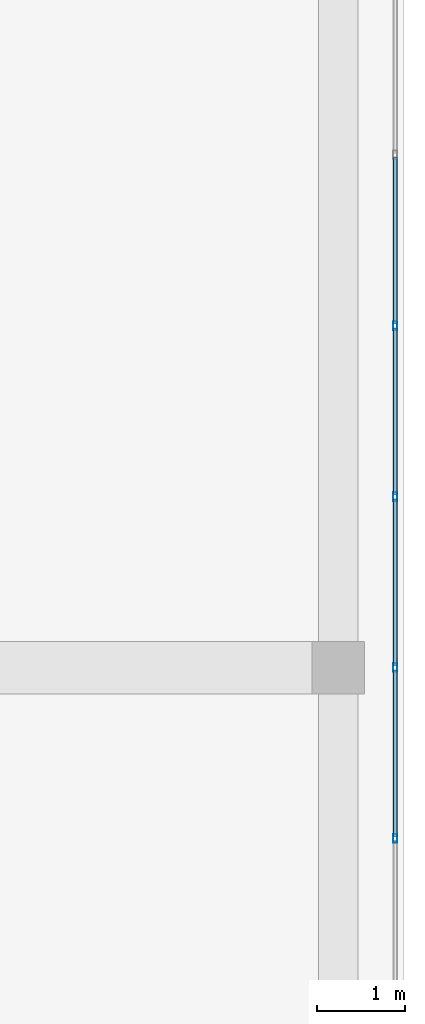
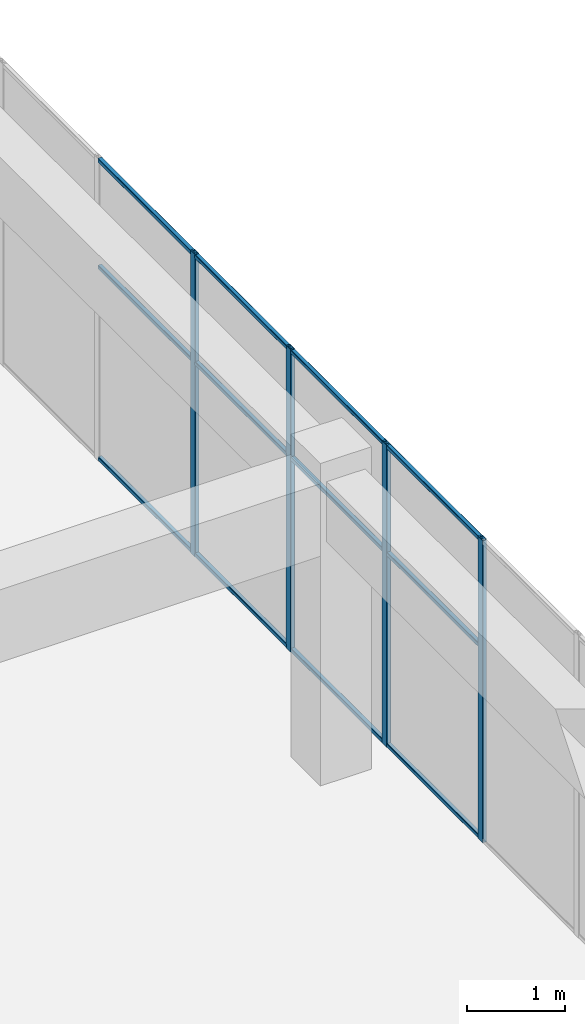
# One storey, part 19 of 35: 16 members, 1 element without a shape of its own.
"""IFC4 building model written with IfcOpenShell, lengths in metres."""

from ifc_helpers import new_model, si_unit, direction, frame, origin, origin_2d, place, context, subcontext, project, spatial, hollow_rectangle, extrude, material, layer, layer_set, material_profile, profile_set, type_object, element, aggregate, save


model = new_model("IFC4")

# Units and contexts
model_context = context("Model", 3, precision=1e-05, world=origin(), true_north=direction((0.0, 1.0)))
body_context = subcontext(model_context, "Body", "Model", "MODEL_VIEW")
ifc_project = project(units=[si_unit("LENGTHUNIT", "METRE"), si_unit("AREAUNIT", "SQUARE_METRE"), si_unit("VOLUMEUNIT", "CUBIC_METRE"), si_unit("PLANEANGLEUNIT", "RADIAN"), si_unit("MASSUNIT", "GRAM", prefix="KILO")], contexts=[model_context])

# Site, building, storey
site_placement = place(None, origin())
site = spatial("IfcSite", under=ifc_project, at=site_placement, CompositionType="ELEMENT")
building_placement = place(site_placement, origin())
building = spatial("IfcBuilding", under=site, at=building_placement, Name="Tuart Plaza Theatre", CompositionType="ELEMENT")
storey_placement = place(building_placement, frame((0.0, 0.0, 45.5)))
storey = spatial("IfcBuildingStorey", under=building, at=storey_placement, Name="L11", CompositionType="ELEMENT", Elevation=45.5)

# Curtain wall, members
ifc_material_1 = material(Name="Aluminium and glass", Category="aluminium")
ifc_layer = layer(ifc_material_1, 0.10009765625)
ifc_layer_set = layer_set([ifc_layer], Name="CURTAIN WALL 2000 module")
curtain_wall_type = type_object("IfcCurtainWallType", Name="CURTAIN WALL 2000 module", PredefinedType="NOTDEFINED", material=ifc_layer_set)
curtain_wall_placement = place(storey_placement, origin())
curtain_wall = element("IfcCurtainWall", 1, at=curtain_wall_placement, inside=storey, type_object=curtain_wall_type, Name="CW102", PredefinedType="NOTDEFINED")
ifc_material_2 = material(Name="Aluminium 6063-T5", Category="aluminium")
ifc_material_profile_1 = material_profile(ifc_material_2, hollow_rectangle(XDim=0.050048828125, YDim=0.10009765625, WallThickness=0.00390625, InnerFilletRadius=0.00390625, OuterFilletRadius=0.008056640625, at=origin_2d()), Name="RHS 100x50x4")
ifc_profile_set_1 = profile_set([ifc_material_profile_1], Name="Aluminium 6063-T5")
member_type_1 = type_object("IfcMemberType", Name="MULLION RHS 100x50x4", PredefinedType="MULLION", material=ifc_profile_set_1)
member_1_placement = place(storey_placement, frame((150.64990234375, 72.050048828125, 0.0), z_axis=(0.0, 0.0, 1.0), x_axis=(-1.0, 0.0, 0.0)))
member_1 = element("IfcMember", 2, at=member_1_placement, type_object=member_type_1, Name="CW102 mullion 5", PredefinedType="MULLION", context=body_context, shape_type="SweptSolid", body=[
    extrude(hollow_rectangle(XDim=0.050048828125, YDim=0.10009765625, WallThickness=0.00390625, InnerFilletRadius=0.00390625, OuterFilletRadius=0.008056640625, at=origin_2d()), origin(), (0.0, 0.0, 1.0), 3.75),
])
member_2_placement = place(storey_placement, frame((150.64990234375, 74.0, 0.0), z_axis=(0.0, 0.0, 1.0), x_axis=(-1.0, 0.0, 0.0)))
member_2 = element("IfcMember", 3, at=member_2_placement, type_object=member_type_1, Name="CW102 mullion 6", PredefinedType="MULLION", context=body_context, shape_type="SweptSolid", body=[
    extrude(hollow_rectangle(XDim=0.050048828125, YDim=0.10009765625, WallThickness=0.00390625, InnerFilletRadius=0.00390625, OuterFilletRadius=0.008056640625, at=origin_2d()), origin(), (0.0, 0.0, 1.0), 3.75),
])
member_3_placement = place(storey_placement, frame((150.64990234375, 75.949951171875, 0.0), z_axis=(0.0, 0.0, 1.0), x_axis=(-1.0, 0.0, 0.0)))
member_3 = element("IfcMember", 4, at=member_3_placement, type_object=member_type_1, Name="CW102 mullion 7", PredefinedType="MULLION", context=body_context, shape_type="SweptSolid", body=[
    extrude(hollow_rectangle(XDim=0.050048828125, YDim=0.10009765625, WallThickness=0.00390625, InnerFilletRadius=0.00390625, OuterFilletRadius=0.008056640625, at=origin_2d()), origin(), (0.0, 0.0, 1.0), 3.75),
])
member_4_placement = place(storey_placement, frame((150.64990234375, 77.89990234375, 0.0), z_axis=(0.0, 0.0, 1.0), x_axis=(-1.0, 0.0, 0.0)))
member_4 = element("IfcMember", 5, at=member_4_placement, type_object=member_type_1, Name="CW102 mullion 8", PredefinedType="MULLION", context=body_context, shape_type="SweptSolid", body=[
    extrude(hollow_rectangle(XDim=0.050048828125, YDim=0.10009765625, WallThickness=0.00390625, InnerFilletRadius=0.00390625, OuterFilletRadius=0.008056640625, at=origin_2d()), origin(), (0.0, 0.0, 1.0), 3.75),
])
ifc_material_3 = material(Name="Aluminium 6063-T5", Category="aluminium")
ifc_material_profile_2 = material_profile(ifc_material_3, hollow_rectangle(XDim=0.050048828125, YDim=0.050048828125, WallThickness=0.00390625, InnerFilletRadius=0.00390625, OuterFilletRadius=0.008056640625, at=origin_2d()), Name="RHS 50x50x4")
ifc_profile_set_2 = profile_set([ifc_material_profile_2], Name="Aluminium 6063-T5")
member_type_2 = type_object("IfcMemberType", Name="TRANSOM RHS 50x50x4", PredefinedType="USERDEFINED", material=ifc_profile_set_2)
member_5_placement = place(storey_placement, frame((150.64990234375, 72.074951171875, 0.02490234375), z_axis=(0.0, 1.0, 0.0), x_axis=(-1.0, 0.0, 0.0)))
member_5 = element("IfcMember", 6, at=member_5_placement, type_object=member_type_2, Name="CW102 transom 5.1", ObjectType="TRANSOM", PredefinedType="USERDEFINED", context=body_context, shape_type="SweptSolid", body=[
    extrude(hollow_rectangle(XDim=0.050048828125, YDim=0.050048828125, WallThickness=0.00390625, InnerFilletRadius=0.00390625, OuterFilletRadius=0.008056640625, at=origin_2d()), origin(), (0.0, 0.0, 1.0), 1.900146484375),
])
member_6_placement = place(storey_placement, frame((150.64990234375, 72.074951171875, 2.39990234375), z_axis=(0.0, 1.0, 0.0), x_axis=(-1.0, 0.0, 0.0)))
member_6 = element("IfcMember", 7, at=member_6_placement, type_object=member_type_2, Name="CW102 transom 5.2", ObjectType="TRANSOM", PredefinedType="USERDEFINED", context=body_context, shape_type="SweptSolid", body=[
    extrude(hollow_rectangle(XDim=0.050048828125, YDim=0.050048828125, WallThickness=0.00390625, InnerFilletRadius=0.00390625, OuterFilletRadius=0.008056640625, at=origin_2d()), origin(), (0.0, 0.0, 1.0), 1.900146484375),
])
member_7_placement = place(storey_placement, frame((150.64990234375, 72.074951171875, 3.72509765625), z_axis=(0.0, 1.0, 0.0), x_axis=(-1.0, 0.0, 0.0)))
member_7 = element("IfcMember", 8, at=member_7_placement, type_object=member_type_2, Name="CW102 transom 5.3", ObjectType="TRANSOM", PredefinedType="USERDEFINED", context=body_context, shape_type="SweptSolid", body=[
    extrude(hollow_rectangle(XDim=0.050048828125, YDim=0.050048828125, WallThickness=0.00390625, InnerFilletRadius=0.00390625, OuterFilletRadius=0.008056640625, at=origin_2d()), origin(), (0.0, 0.0, 1.0), 1.900146484375),
])
member_8_placement = place(storey_placement, frame((150.64990234375, 74.02490234375, 0.02490234375), z_axis=(0.0, 1.0, 0.0), x_axis=(-1.0, 0.0, 0.0)))
member_8 = element("IfcMember", 9, at=member_8_placement, type_object=member_type_2, Name="CW102 transom 6.1", ObjectType="TRANSOM", PredefinedType="USERDEFINED", context=body_context, shape_type="SweptSolid", body=[
    extrude(hollow_rectangle(XDim=0.050048828125, YDim=0.050048828125, WallThickness=0.00390625, InnerFilletRadius=0.00390625, OuterFilletRadius=0.008056640625, at=origin_2d()), origin(), (0.0, 0.0, 1.0), 1.900146484375),
])
member_9_placement = place(storey_placement, frame((150.64990234375, 74.02490234375, 2.39990234375), z_axis=(0.0, 1.0, 0.0), x_axis=(-1.0, 0.0, 0.0)))
member_9 = element("IfcMember", 10, at=member_9_placement, type_object=member_type_2, Name="CW102 transom 6.2", ObjectType="TRANSOM", PredefinedType="USERDEFINED", context=body_context, shape_type="SweptSolid", body=[
    extrude(hollow_rectangle(XDim=0.050048828125, YDim=0.050048828125, WallThickness=0.00390625, InnerFilletRadius=0.00390625, OuterFilletRadius=0.008056640625, at=origin_2d()), origin(), (0.0, 0.0, 1.0), 1.900146484375),
])
member_10_placement = place(storey_placement, frame((150.64990234375, 74.02490234375, 3.72509765625), z_axis=(0.0, 1.0, 0.0), x_axis=(-1.0, 0.0, 0.0)))
member_10 = element("IfcMember", 11, at=member_10_placement, type_object=member_type_2, Name="CW102 transom 6.3", ObjectType="TRANSOM", PredefinedType="USERDEFINED", context=body_context, shape_type="SweptSolid", body=[
    extrude(hollow_rectangle(XDim=0.050048828125, YDim=0.050048828125, WallThickness=0.00390625, InnerFilletRadius=0.00390625, OuterFilletRadius=0.008056640625, at=origin_2d()), origin(), (0.0, 0.0, 1.0), 1.900146484375),
])
member_11_placement = place(storey_placement, frame((150.64990234375, 75.97509765625, 0.02490234375), z_axis=(0.0, 1.0, 0.0), x_axis=(-1.0, 0.0, 0.0)))
member_11 = element("IfcMember", 12, at=member_11_placement, type_object=member_type_2, Name="CW102 transom 7.1", ObjectType="TRANSOM", PredefinedType="USERDEFINED", context=body_context, shape_type="SweptSolid", body=[
    extrude(hollow_rectangle(XDim=0.050048828125, YDim=0.050048828125, WallThickness=0.00390625, InnerFilletRadius=0.00390625, OuterFilletRadius=0.008056640625, at=origin_2d()), origin(), (0.0, 0.0, 1.0), 1.89990234375),
])
member_12_placement = place(storey_placement, frame((150.64990234375, 75.97509765625, 2.39990234375), z_axis=(0.0, 1.0, 0.0), x_axis=(-1.0, 0.0, 0.0)))
member_12 = element("IfcMember", 13, at=member_12_placement, type_object=member_type_2, Name="CW102 transom 7.2", ObjectType="TRANSOM", PredefinedType="USERDEFINED", context=body_context, shape_type="SweptSolid", body=[
    extrude(hollow_rectangle(XDim=0.050048828125, YDim=0.050048828125, WallThickness=0.00390625, InnerFilletRadius=0.00390625, OuterFilletRadius=0.008056640625, at=origin_2d()), origin(), (0.0, 0.0, 1.0), 1.89990234375),
])
member_13_placement = place(storey_placement, frame((150.64990234375, 75.97509765625, 3.72509765625), z_axis=(0.0, 1.0, 0.0), x_axis=(-1.0, 0.0, 0.0)))
member_13 = element("IfcMember", 14, at=member_13_placement, type_object=member_type_2, Name="CW102 transom 7.3", ObjectType="TRANSOM", PredefinedType="USERDEFINED", context=body_context, shape_type="SweptSolid", body=[
    extrude(hollow_rectangle(XDim=0.050048828125, YDim=0.050048828125, WallThickness=0.00390625, InnerFilletRadius=0.00390625, OuterFilletRadius=0.008056640625, at=origin_2d()), origin(), (0.0, 0.0, 1.0), 1.89990234375),
])
member_14_placement = place(storey_placement, frame((150.64990234375, 77.925048828125, 0.02490234375), z_axis=(0.0, 1.0, 0.0), x_axis=(-1.0, 0.0, 0.0)))
member_14 = element("IfcMember", 15, at=member_14_placement, type_object=member_type_2, Name="CW102 transom 8.1", ObjectType="TRANSOM", PredefinedType="USERDEFINED", context=body_context, shape_type="SweptSolid", body=[
    extrude(hollow_rectangle(XDim=0.050048828125, YDim=0.050048828125, WallThickness=0.00390625, InnerFilletRadius=0.00390625, OuterFilletRadius=0.008056640625, at=origin_2d()), origin(), (0.0, 0.0, 1.0), 1.89990234375),
])
member_15_placement = place(storey_placement, frame((150.64990234375, 77.925048828125, 2.39990234375), z_axis=(0.0, 1.0, 0.0), x_axis=(-1.0, 0.0, 0.0)))
member_15 = element("IfcMember", 16, at=member_15_placement, type_object=member_type_2, Name="CW102 transom 8.2", ObjectType="TRANSOM", PredefinedType="USERDEFINED", context=body_context, shape_type="SweptSolid", body=[
    extrude(hollow_rectangle(XDim=0.050048828125, YDim=0.050048828125, WallThickness=0.00390625, InnerFilletRadius=0.00390625, OuterFilletRadius=0.008056640625, at=origin_2d()), origin(), (0.0, 0.0, 1.0), 1.89990234375),
])
member_16_placement = place(storey_placement, frame((150.64990234375, 77.925048828125, 3.72509765625), z_axis=(0.0, 1.0, 0.0), x_axis=(-1.0, 0.0, 0.0)))
member_16 = element("IfcMember", 17, at=member_16_placement, type_object=member_type_2, Name="CW102 transom 8.3", ObjectType="TRANSOM", PredefinedType="USERDEFINED", context=body_context, shape_type="SweptSolid", body=[
    extrude(hollow_rectangle(XDim=0.050048828125, YDim=0.050048828125, WallThickness=0.00390625, InnerFilletRadius=0.00390625, OuterFilletRadius=0.008056640625, at=origin_2d()), origin(), (0.0, 0.0, 1.0), 1.89990234375),
])
aggregate(curtain_wall, [member_1, member_2, member_3, member_4, member_5, member_6, member_7, member_8, member_9, member_10, member_11, member_12, member_13, member_14, member_15, member_16])

save(model, "model.ifc")
